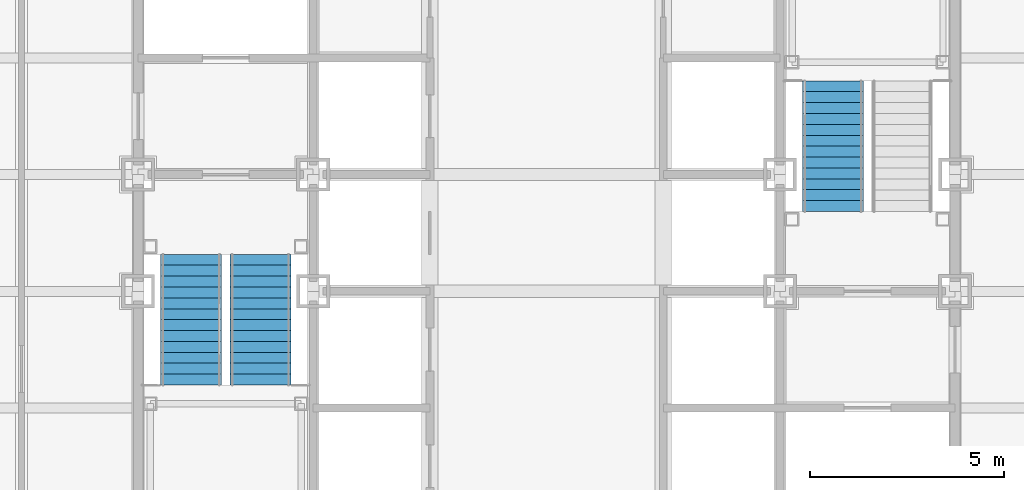
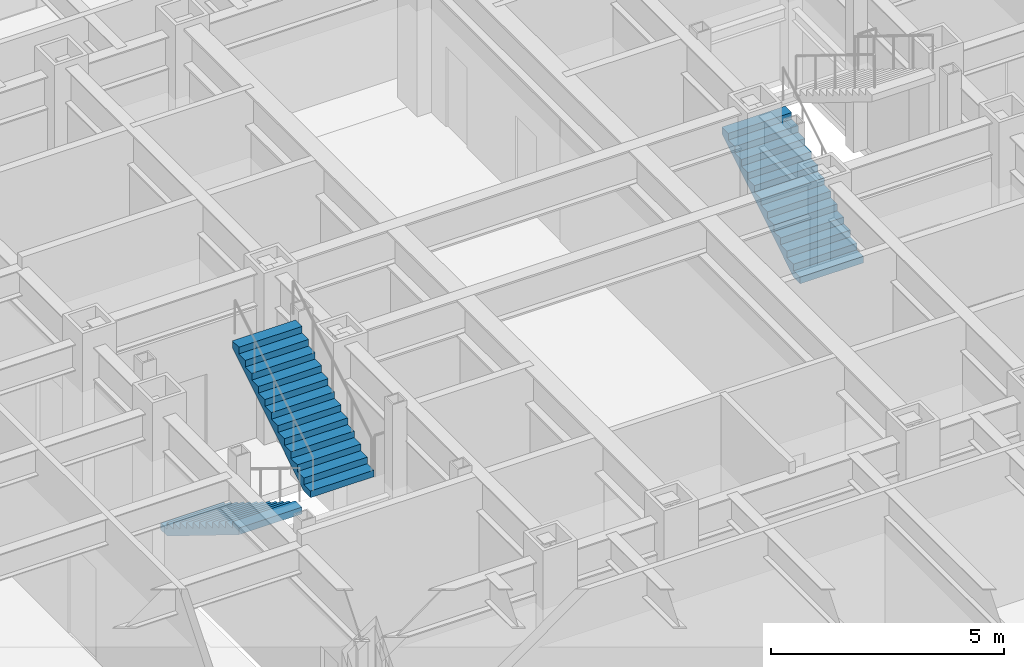
# One storey, part 12 of 16: 3 stair flights, 2 elements without a shape of their own.
"""IFC4 building model written with IfcOpenShell, lengths in metres."""

from ifc_helpers import new_model, si_unit, direction, frame, origin, place, context, subcontext, project, spatial, faceted_brep, material, type_object, element, aggregate, save


model = new_model("IFC4")

# Units and contexts
model_context = context("Model", 3, precision=1e-05, world=origin(), true_north=direction((0.0, 1.0)))
body_context = subcontext(model_context, "Body", "Model", "MODEL_VIEW")
ifc_project = project(units=[si_unit("LENGTHUNIT", "METRE"), si_unit("AREAUNIT", "SQUARE_METRE"), si_unit("VOLUMEUNIT", "CUBIC_METRE"), si_unit("PLANEANGLEUNIT", "RADIAN"), si_unit("MASSUNIT", "GRAM", prefix="KILO")], contexts=[model_context])

# Site, building, storey
site_placement = place(None, origin())
site = spatial("IfcSite", under=ifc_project, at=site_placement, CompositionType="ELEMENT")
building_placement = place(site_placement, origin())
building = spatial("IfcBuilding", under=site, at=building_placement, Name="Chuquiago Exchange Tower", CompositionType="ELEMENT")
storey_placement = place(building_placement, frame((0.0, 0.0, 60.300048828125)))
storey = spatial("IfcBuildingStorey", under=building, at=storey_placement, Name="L12", CompositionType="ELEMENT", Elevation=60.300048828125)

# Stair, stair flights
ifc_material_1 = material(Name="Concrete C30/37, precast", Category="concrete")
stair_type_1 = type_object("IfcStairType", Name="ST1 half-turn stair 4500", PredefinedType="HALF_TURN_STAIR", material=ifc_material_1)
stair_1_placement = place(storey_placement, origin())
stair_1 = element("IfcStair", 1, at=stair_1_placement, inside=storey, type_object=stair_type_1, Name="Stair ST1 L12", PredefinedType="HALF_TURN_STAIR")
ifc_material_2 = material(Name="Concrete C30/37, precast", Category="concrete")
stair_flight_type = type_object("IfcStairFlightType", Name="ST-F flight 1570 for 4500 storey", PredefinedType="STRAIGHT", material=ifc_material_2)
stair_flight_1_placement = place(storey_placement, frame((13.360107421875, 21.949951171875, 0.0), z_axis=(0.0, 0.0, 1.0), x_axis=(0.0, -1.0, 0.0)))
stair_flight_1 = element("IfcStairFlight", 2, at=stair_flight_1_placement, type_object=stair_flight_type, Name="ST1 flight 1", NumberOfRisers=13, NumberOfTreads=12, PredefinedType="STRAIGHT", RiserHeight=0.173076923, TreadLength=0.28, context=body_context, shape_type="Brep", body=[
    faceted_brep([(0.0, 0.78515625, 0.0), (0.0, 0.78515625, 0.173095703125), (0.280029296875, 0.78515625, 0.173095703125), (0.280029296875, 0.78515625, 0.34619140625), (0.56005859375, 0.78515625, 0.34619140625), (0.56005859375, 0.78515625, 0.519287109375), (0.840087890625, 0.78515625, 0.519287109375), (0.840087890625, 0.78515625, 0.6923828125), (1.1201171875, 0.78515625, 0.6923828125), (1.1201171875, 0.78515625, 0.865478515625), (1.39990234375, 0.78515625, 0.865478515625), (1.39990234375, 0.78515625, 1.03857421875), (1.679931640625, 0.78515625, 1.03857421875), (1.679931640625, 0.78515625, 1.21142578125), (1.9599609375, 0.78515625, 1.21142578125), (1.9599609375, 0.78515625, 1.384521484375), (2.239990234375, 0.78515625, 1.384521484375), (2.239990234375, 0.78515625, 1.5576171875), (2.52001953125, 0.78515625, 1.5576171875), (2.52001953125, 0.78515625, 1.730712890625), (2.800048828125, 0.78515625, 1.730712890625), (2.800048828125, 0.78515625, 1.90380859375), (3.080078125, 0.78515625, 1.90380859375), (3.080078125, 0.78515625, 2.076904296875), (3.360107421875, 0.78515625, 2.076904296875), (3.360107421875, 0.78515625, 1.900634765625), (0.28515625, 0.78515625, 0.0), (0.28515625, -0.78515625, 0.0), (3.360107421875, -0.78515625, 1.900634765625), (3.360107421875, -0.78515625, 2.076904296875), (3.080078125, -0.78515625, 2.076904296875), (3.080078125, -0.78515625, 1.90380859375), (2.800048828125, -0.78515625, 1.90380859375), (2.800048828125, -0.78515625, 1.730712890625), (2.52001953125, -0.78515625, 1.730712890625), (2.52001953125, -0.78515625, 1.5576171875), (2.239990234375, -0.78515625, 1.5576171875), (2.239990234375, -0.78515625, 1.384521484375), (1.9599609375, -0.78515625, 1.384521484375), (1.9599609375, -0.78515625, 1.21142578125), (1.679931640625, -0.78515625, 1.21142578125), (1.679931640625, -0.78515625, 1.03857421875), (1.39990234375, -0.78515625, 1.03857421875), (1.39990234375, -0.78515625, 0.865478515625), (1.1201171875, -0.78515625, 0.865478515625), (1.1201171875, -0.78515625, 0.6923828125), (0.840087890625, -0.78515625, 0.6923828125), (0.840087890625, -0.78515625, 0.519287109375), (0.56005859375, -0.78515625, 0.519287109375), (0.56005859375, -0.78515625, 0.34619140625), (0.280029296875, -0.78515625, 0.34619140625), (0.280029296875, -0.78515625, 0.173095703125), (0.0, -0.78515625, 0.173095703125), (0.0, -0.78515625, 0.0), (0.0, 0.392578125, 0.0), (0.0, 0.392578125, 0.173095703125), (0.0, 0.0, 0.0), (0.0, 0.0, 0.173095703125), (0.0, -0.392578125, 0.0), (0.0, -0.392578125, 0.173095703125), (0.280029296875, 0.392578125, 0.173095703125), (0.280029296875, 0.0, 0.173095703125), (0.280029296875, -0.392578125, 0.173095703125), (0.280029296875, 0.392578125, 0.34619140625), (0.280029296875, 0.0, 0.34619140625), (0.280029296875, -0.392578125, 0.34619140625), (0.56005859375, 0.392578125, 0.34619140625), (0.56005859375, 0.0, 0.34619140625), (0.56005859375, -0.392578125, 0.34619140625), (0.56005859375, 0.392578125, 0.519287109375), (0.56005859375, 0.0, 0.519287109375), (0.56005859375, -0.392578125, 0.519287109375), (0.840087890625, 0.392578125, 0.519287109375), (0.840087890625, 0.0, 0.519287109375), (0.840087890625, -0.392578125, 0.519287109375), (0.840087890625, 0.392578125, 0.6923828125), (0.840087890625, 0.0, 0.6923828125), (0.840087890625, -0.392578125, 0.6923828125), (1.1201171875, 0.392578125, 0.6923828125), (1.1201171875, 0.0, 0.6923828125), (1.1201171875, -0.392578125, 0.6923828125), (1.1201171875, 0.392578125, 0.865478515625), (1.1201171875, 0.0, 0.865478515625), (1.1201171875, -0.392578125, 0.865478515625), (1.39990234375, 0.392578125, 0.865478515625), (1.39990234375, 0.0, 0.865478515625), (1.39990234375, -0.392578125, 0.865478515625), (1.39990234375, 0.392578125, 1.03857421875), (1.39990234375, 0.0, 1.03857421875), (1.39990234375, -0.392578125, 1.03857421875), (1.679931640625, 0.392578125, 1.03857421875), (1.679931640625, 0.0, 1.03857421875), (1.679931640625, -0.392578125, 1.03857421875), (1.679931640625, 0.392578125, 1.21142578125), (1.679931640625, 0.0, 1.21142578125), (1.679931640625, -0.392578125, 1.21142578125), (1.9599609375, 0.392578125, 1.21142578125), (1.9599609375, 0.0, 1.21142578125), (1.9599609375, -0.392578125, 1.21142578125), (1.9599609375, 0.392578125, 1.384521484375), (1.9599609375, 0.0, 1.384521484375), (1.9599609375, -0.392578125, 1.384521484375), (2.239990234375, 0.392578125, 1.384521484375), (2.239990234375, 0.0, 1.384521484375), (2.239990234375, -0.392578125, 1.384521484375), (2.239990234375, 0.392578125, 1.5576171875), (2.239990234375, 0.0, 1.5576171875), (2.239990234375, -0.392578125, 1.5576171875), (2.52001953125, 0.392578125, 1.5576171875), (2.52001953125, 0.0, 1.5576171875), (2.52001953125, -0.392578125, 1.5576171875), (2.52001953125, 0.392578125, 1.730712890625), (2.52001953125, 0.0, 1.730712890625), (2.52001953125, -0.392578125, 1.730712890625), (2.800048828125, 0.392578125, 1.730712890625), (2.800048828125, 0.0, 1.730712890625), (2.800048828125, -0.392578125, 1.730712890625), (2.800048828125, 0.392578125, 1.90380859375), (2.800048828125, 0.0, 1.90380859375), (2.800048828125, -0.392578125, 1.90380859375), (3.080078125, 0.392578125, 1.90380859375), (3.080078125, 0.0, 1.90380859375), (3.080078125, -0.392578125, 1.90380859375), (3.080078125, 0.392578125, 2.076904296875), (3.080078125, 0.0, 2.076904296875), (3.080078125, -0.392578125, 2.076904296875), (3.360107421875, 0.392578125, 2.076904296875), (3.360107421875, 0.0, 2.076904296875), (3.360107421875, -0.392578125, 2.076904296875), (3.360107421875, 0.392578125, 1.900634765625), (3.360107421875, 0.0, 1.900634765625), (3.360107421875, -0.392578125, 1.900634765625), (0.28515625, 0.392578125, 0.0), (0.28515625, 0.0, 0.0), (0.28515625, -0.392578125, 0.0)], [[[0, 1, 2, 3, 4, 5, 6, 7, 8, 9, 10, 11, 12, 13, 14, 15, 16, 17, 18, 19, 20, 21, 22, 23, 24, 25, 26]], [[27, 28, 29, 30, 31, 32, 33, 34, 35, 36, 37, 38, 39, 40, 41, 42, 43, 44, 45, 46, 47, 48, 49, 50, 51, 52, 53]], [[1, 0, 54, 55]], [[55, 54, 56, 57]], [[57, 56, 58, 59]], [[59, 58, 53, 52]], [[2, 1, 55, 60]], [[60, 55, 57, 61]], [[61, 57, 59, 62]], [[62, 59, 52, 51]], [[3, 2, 60, 63]], [[63, 60, 61, 64]], [[64, 61, 62, 65]], [[65, 62, 51, 50]], [[4, 3, 63, 66]], [[66, 63, 64, 67]], [[67, 64, 65, 68]], [[68, 65, 50, 49]], [[5, 4, 66, 69]], [[69, 66, 67, 70]], [[70, 67, 68, 71]], [[71, 68, 49, 48]], [[6, 5, 69, 72]], [[72, 69, 70, 73]], [[73, 70, 71, 74]], [[74, 71, 48, 47]], [[7, 6, 72, 75]], [[75, 72, 73, 76]], [[76, 73, 74, 77]], [[77, 74, 47, 46]], [[8, 7, 75, 78]], [[78, 75, 76, 79]], [[79, 76, 77, 80]], [[80, 77, 46, 45]], [[9, 8, 78, 81]], [[81, 78, 79, 82]], [[82, 79, 80, 83]], [[83, 80, 45, 44]], [[10, 9, 81, 84]], [[84, 81, 82, 85]], [[85, 82, 83, 86]], [[86, 83, 44, 43]], [[11, 10, 84, 87]], [[87, 84, 85, 88]], [[88, 85, 86, 89]], [[89, 86, 43, 42]], [[12, 11, 87, 90]], [[90, 87, 88, 91]], [[91, 88, 89, 92]], [[92, 89, 42, 41]], [[13, 12, 90, 93]], [[93, 90, 91, 94]], [[94, 91, 92, 95]], [[95, 92, 41, 40]], [[14, 13, 93, 96]], [[96, 93, 94, 97]], [[97, 94, 95, 98]], [[98, 95, 40, 39]], [[15, 14, 96, 99]], [[99, 96, 97, 100]], [[100, 97, 98, 101]], [[101, 98, 39, 38]], [[16, 15, 99, 102]], [[102, 99, 100, 103]], [[103, 100, 101, 104]], [[104, 101, 38, 37]], [[17, 16, 102, 105]], [[105, 102, 103, 106]], [[106, 103, 104, 107]], [[107, 104, 37, 36]], [[18, 17, 105, 108]], [[108, 105, 106, 109]], [[109, 106, 107, 110]], [[110, 107, 36, 35]], [[19, 18, 108, 111]], [[111, 108, 109, 112]], [[112, 109, 110, 113]], [[113, 110, 35, 34]], [[20, 19, 111, 114]], [[114, 111, 112, 115]], [[115, 112, 113, 116]], [[116, 113, 34, 33]], [[21, 20, 114, 117]], [[117, 114, 115, 118]], [[118, 115, 116, 119]], [[119, 116, 33, 32]], [[22, 21, 117, 120]], [[120, 117, 118, 121]], [[121, 118, 119, 122]], [[122, 119, 32, 31]], [[23, 22, 120, 123]], [[123, 120, 121, 124]], [[124, 121, 122, 125]], [[125, 122, 31, 30]], [[24, 23, 123, 126]], [[126, 123, 124, 127]], [[127, 124, 125, 128]], [[128, 125, 30, 29]], [[25, 24, 126, 129]], [[129, 126, 127, 130]], [[130, 127, 128, 131]], [[131, 128, 29, 28]], [[26, 25, 129, 132]], [[132, 129, 130, 133]], [[133, 130, 131, 134]], [[134, 131, 28, 27]], [[0, 26, 132, 54]], [[54, 132, 133, 56]], [[56, 133, 134, 58]], [[58, 134, 27, 53]]]),
])
stair_flight_2_placement = place(storey_placement, frame((15.139892578125, 18.590087890625, 2.25), z_axis=(0.0, 0.0, 1.0), x_axis=(0.0, 1.0, 0.0)))
stair_flight_2 = element("IfcStairFlight", 3, at=stair_flight_2_placement, type_object=stair_flight_type, Name="ST1 flight 2", NumberOfRisers=13, NumberOfTreads=12, PredefinedType="STRAIGHT", RiserHeight=0.173076923, TreadLength=0.28, context=body_context, shape_type="Brep", body=[
    faceted_brep([(0.0, 0.78515625, 0.0), (0.0, 0.78515625, 0.173095703125), (0.280029296875, 0.78515625, 0.173095703125), (0.280029296875, 0.78515625, 0.34619140625), (0.56005859375, 0.78515625, 0.34619140625), (0.56005859375, 0.78515625, 0.519287109375), (0.840087890625, 0.78515625, 0.519287109375), (0.840087890625, 0.78515625, 0.6923828125), (1.1201171875, 0.78515625, 0.6923828125), (1.1201171875, 0.78515625, 0.865478515625), (1.39990234375, 0.78515625, 0.865478515625), (1.39990234375, 0.78515625, 1.03857421875), (1.679931640625, 0.78515625, 1.03857421875), (1.679931640625, 0.78515625, 1.21142578125), (1.9599609375, 0.78515625, 1.21142578125), (1.9599609375, 0.78515625, 1.384521484375), (2.239990234375, 0.78515625, 1.384521484375), (2.239990234375, 0.78515625, 1.5576171875), (2.52001953125, 0.78515625, 1.5576171875), (2.52001953125, 0.78515625, 1.730712890625), (2.800048828125, 0.78515625, 1.730712890625), (2.800048828125, 0.78515625, 1.90380859375), (3.080078125, 0.78515625, 1.90380859375), (3.080078125, 0.78515625, 2.076904296875), (3.360107421875, 0.78515625, 2.076904296875), (3.360107421875, 0.78515625, 1.900634765625), (0.28515625, 0.78515625, 0.0), (0.28515625, -0.78515625, 0.0), (3.360107421875, -0.78515625, 1.900634765625), (3.360107421875, -0.78515625, 2.076904296875), (3.080078125, -0.78515625, 2.076904296875), (3.080078125, -0.78515625, 1.90380859375), (2.800048828125, -0.78515625, 1.90380859375), (2.800048828125, -0.78515625, 1.730712890625), (2.52001953125, -0.78515625, 1.730712890625), (2.52001953125, -0.78515625, 1.5576171875), (2.239990234375, -0.78515625, 1.5576171875), (2.239990234375, -0.78515625, 1.384521484375), (1.9599609375, -0.78515625, 1.384521484375), (1.9599609375, -0.78515625, 1.21142578125), (1.679931640625, -0.78515625, 1.21142578125), (1.679931640625, -0.78515625, 1.03857421875), (1.39990234375, -0.78515625, 1.03857421875), (1.39990234375, -0.78515625, 0.865478515625), (1.1201171875, -0.78515625, 0.865478515625), (1.1201171875, -0.78515625, 0.6923828125), (0.840087890625, -0.78515625, 0.6923828125), (0.840087890625, -0.78515625, 0.519287109375), (0.56005859375, -0.78515625, 0.519287109375), (0.56005859375, -0.78515625, 0.34619140625), (0.280029296875, -0.78515625, 0.34619140625), (0.280029296875, -0.78515625, 0.173095703125), (0.0, -0.78515625, 0.173095703125), (0.0, -0.78515625, 0.0), (0.0, 0.392578125, 0.0), (0.0, 0.392578125, 0.173095703125), (0.0, 0.0, 0.0), (0.0, 0.0, 0.173095703125), (0.0, -0.392578125, 0.0), (0.0, -0.392578125, 0.173095703125), (0.280029296875, 0.392578125, 0.173095703125), (0.280029296875, 0.0, 0.173095703125), (0.280029296875, -0.392578125, 0.173095703125), (0.280029296875, 0.392578125, 0.34619140625), (0.280029296875, 0.0, 0.34619140625), (0.280029296875, -0.392578125, 0.34619140625), (0.56005859375, 0.392578125, 0.34619140625), (0.56005859375, 0.0, 0.34619140625), (0.56005859375, -0.392578125, 0.34619140625), (0.56005859375, 0.392578125, 0.519287109375), (0.56005859375, 0.0, 0.519287109375), (0.56005859375, -0.392578125, 0.519287109375), (0.840087890625, 0.392578125, 0.519287109375), (0.840087890625, 0.0, 0.519287109375), (0.840087890625, -0.392578125, 0.519287109375), (0.840087890625, 0.392578125, 0.6923828125), (0.840087890625, 0.0, 0.6923828125), (0.840087890625, -0.392578125, 0.6923828125), (1.1201171875, 0.392578125, 0.6923828125), (1.1201171875, 0.0, 0.6923828125), (1.1201171875, -0.392578125, 0.6923828125), (1.1201171875, 0.392578125, 0.865478515625), (1.1201171875, 0.0, 0.865478515625), (1.1201171875, -0.392578125, 0.865478515625), (1.39990234375, 0.392578125, 0.865478515625), (1.39990234375, 0.0, 0.865478515625), (1.39990234375, -0.392578125, 0.865478515625), (1.39990234375, 0.392578125, 1.03857421875), (1.39990234375, 0.0, 1.03857421875), (1.39990234375, -0.392578125, 1.03857421875), (1.679931640625, 0.392578125, 1.03857421875), (1.679931640625, 0.0, 1.03857421875), (1.679931640625, -0.392578125, 1.03857421875), (1.679931640625, 0.392578125, 1.21142578125), (1.679931640625, 0.0, 1.21142578125), (1.679931640625, -0.392578125, 1.21142578125), (1.9599609375, 0.392578125, 1.21142578125), (1.9599609375, 0.0, 1.21142578125), (1.9599609375, -0.392578125, 1.21142578125), (1.9599609375, 0.392578125, 1.384521484375), (1.9599609375, 0.0, 1.384521484375), (1.9599609375, -0.392578125, 1.384521484375), (2.239990234375, 0.392578125, 1.384521484375), (2.239990234375, 0.0, 1.384521484375), (2.239990234375, -0.392578125, 1.384521484375), (2.239990234375, 0.392578125, 1.5576171875), (2.239990234375, 0.0, 1.5576171875), (2.239990234375, -0.392578125, 1.5576171875), (2.52001953125, 0.392578125, 1.5576171875), (2.52001953125, 0.0, 1.5576171875), (2.52001953125, -0.392578125, 1.5576171875), (2.52001953125, 0.392578125, 1.730712890625), (2.52001953125, 0.0, 1.730712890625), (2.52001953125, -0.392578125, 1.730712890625), (2.800048828125, 0.392578125, 1.730712890625), (2.800048828125, 0.0, 1.730712890625), (2.800048828125, -0.392578125, 1.730712890625), (2.800048828125, 0.392578125, 1.90380859375), (2.800048828125, 0.0, 1.90380859375), (2.800048828125, -0.392578125, 1.90380859375), (3.080078125, 0.392578125, 1.90380859375), (3.080078125, 0.0, 1.90380859375), (3.080078125, -0.392578125, 1.90380859375), (3.080078125, 0.392578125, 2.076904296875), (3.080078125, 0.0, 2.076904296875), (3.080078125, -0.392578125, 2.076904296875), (3.360107421875, 0.392578125, 2.076904296875), (3.360107421875, 0.0, 2.076904296875), (3.360107421875, -0.392578125, 2.076904296875), (3.360107421875, 0.392578125, 1.900634765625), (3.360107421875, 0.0, 1.900634765625), (3.360107421875, -0.392578125, 1.900634765625), (0.28515625, 0.392578125, 0.0), (0.28515625, 0.0, 0.0), (0.28515625, -0.392578125, 0.0)], [[[0, 1, 2, 3, 4, 5, 6, 7, 8, 9, 10, 11, 12, 13, 14, 15, 16, 17, 18, 19, 20, 21, 22, 23, 24, 25, 26]], [[27, 28, 29, 30, 31, 32, 33, 34, 35, 36, 37, 38, 39, 40, 41, 42, 43, 44, 45, 46, 47, 48, 49, 50, 51, 52, 53]], [[1, 0, 54, 55]], [[55, 54, 56, 57]], [[57, 56, 58, 59]], [[59, 58, 53, 52]], [[2, 1, 55, 60]], [[60, 55, 57, 61]], [[61, 57, 59, 62]], [[62, 59, 52, 51]], [[3, 2, 60, 63]], [[63, 60, 61, 64]], [[64, 61, 62, 65]], [[65, 62, 51, 50]], [[4, 3, 63, 66]], [[66, 63, 64, 67]], [[67, 64, 65, 68]], [[68, 65, 50, 49]], [[5, 4, 66, 69]], [[69, 66, 67, 70]], [[70, 67, 68, 71]], [[71, 68, 49, 48]], [[6, 5, 69, 72]], [[72, 69, 70, 73]], [[73, 70, 71, 74]], [[74, 71, 48, 47]], [[7, 6, 72, 75]], [[75, 72, 73, 76]], [[76, 73, 74, 77]], [[77, 74, 47, 46]], [[8, 7, 75, 78]], [[78, 75, 76, 79]], [[79, 76, 77, 80]], [[80, 77, 46, 45]], [[9, 8, 78, 81]], [[81, 78, 79, 82]], [[82, 79, 80, 83]], [[83, 80, 45, 44]], [[10, 9, 81, 84]], [[84, 81, 82, 85]], [[85, 82, 83, 86]], [[86, 83, 44, 43]], [[11, 10, 84, 87]], [[87, 84, 85, 88]], [[88, 85, 86, 89]], [[89, 86, 43, 42]], [[12, 11, 87, 90]], [[90, 87, 88, 91]], [[91, 88, 89, 92]], [[92, 89, 42, 41]], [[13, 12, 90, 93]], [[93, 90, 91, 94]], [[94, 91, 92, 95]], [[95, 92, 41, 40]], [[14, 13, 93, 96]], [[96, 93, 94, 97]], [[97, 94, 95, 98]], [[98, 95, 40, 39]], [[15, 14, 96, 99]], [[99, 96, 97, 100]], [[100, 97, 98, 101]], [[101, 98, 39, 38]], [[16, 15, 99, 102]], [[102, 99, 100, 103]], [[103, 100, 101, 104]], [[104, 101, 38, 37]], [[17, 16, 102, 105]], [[105, 102, 103, 106]], [[106, 103, 104, 107]], [[107, 104, 37, 36]], [[18, 17, 105, 108]], [[108, 105, 106, 109]], [[109, 106, 107, 110]], [[110, 107, 36, 35]], [[19, 18, 108, 111]], [[111, 108, 109, 112]], [[112, 109, 110, 113]], [[113, 110, 35, 34]], [[20, 19, 111, 114]], [[114, 111, 112, 115]], [[115, 112, 113, 116]], [[116, 113, 34, 33]], [[21, 20, 114, 117]], [[117, 114, 115, 118]], [[118, 115, 116, 119]], [[119, 116, 33, 32]], [[22, 21, 117, 120]], [[120, 117, 118, 121]], [[121, 118, 119, 122]], [[122, 119, 32, 31]], [[23, 22, 120, 123]], [[123, 120, 121, 124]], [[124, 121, 122, 125]], [[125, 122, 31, 30]], [[24, 23, 123, 126]], [[126, 123, 124, 127]], [[127, 124, 125, 128]], [[128, 125, 30, 29]], [[25, 24, 126, 129]], [[129, 126, 127, 130]], [[130, 127, 128, 131]], [[131, 128, 29, 28]], [[26, 25, 129, 132]], [[132, 129, 130, 133]], [[133, 130, 131, 134]], [[134, 131, 28, 27]], [[0, 26, 132, 54]], [[54, 132, 133, 56]], [[56, 133, 134, 58]], [[58, 134, 27, 53]]]),
])
aggregate(stair_1, [stair_flight_1, stair_flight_2])

# Stair, stair flight
ifc_material_3 = material(Name="Concrete C30/37, precast", Category="concrete")
stair_type_2 = type_object("IfcStairType", Name="ST2 half-turn stair 4500", PredefinedType="HALF_TURN_STAIR", material=ifc_material_3)
stair_2_placement = place(storey_placement, origin())
stair_2 = element("IfcStair", 4, at=stair_2_placement, inside=storey, type_object=stair_type_2, Name="Stair ST2 L12", PredefinedType="HALF_TURN_STAIR")
stair_flight_3_placement = place(storey_placement, frame((29.860107421875, 23.050048828125, 0.0), z_axis=(0.0, 0.0, 1.0), x_axis=(0.0, 1.0, 0.0)))
stair_flight_3 = element("IfcStairFlight", 5, at=stair_flight_3_placement, type_object=stair_flight_type, Name="ST2 flight 1", NumberOfRisers=13, NumberOfTreads=12, PredefinedType="STRAIGHT", RiserHeight=0.173076923, TreadLength=0.28, context=body_context, shape_type="Brep", body=[
    faceted_brep([(0.0, 0.78515625, 0.0), (0.0, 0.78515625, 0.173095703125), (0.280029296875, 0.78515625, 0.173095703125), (0.280029296875, 0.78515625, 0.34619140625), (0.56005859375, 0.78515625, 0.34619140625), (0.56005859375, 0.78515625, 0.519287109375), (0.840087890625, 0.78515625, 0.519287109375), (0.840087890625, 0.78515625, 0.6923828125), (1.1201171875, 0.78515625, 0.6923828125), (1.1201171875, 0.78515625, 0.865478515625), (1.39990234375, 0.78515625, 0.865478515625), (1.39990234375, 0.78515625, 1.03857421875), (1.679931640625, 0.78515625, 1.03857421875), (1.679931640625, 0.78515625, 1.21142578125), (1.9599609375, 0.78515625, 1.21142578125), (1.9599609375, 0.78515625, 1.384521484375), (2.239990234375, 0.78515625, 1.384521484375), (2.239990234375, 0.78515625, 1.5576171875), (2.52001953125, 0.78515625, 1.5576171875), (2.52001953125, 0.78515625, 1.730712890625), (2.800048828125, 0.78515625, 1.730712890625), (2.800048828125, 0.78515625, 1.90380859375), (3.080078125, 0.78515625, 1.90380859375), (3.080078125, 0.78515625, 2.076904296875), (3.360107421875, 0.78515625, 2.076904296875), (3.360107421875, 0.78515625, 1.900634765625), (0.28515625, 0.78515625, 0.0), (0.28515625, -0.78515625, 0.0), (3.360107421875, -0.78515625, 1.900634765625), (3.360107421875, -0.78515625, 2.076904296875), (3.080078125, -0.78515625, 2.076904296875), (3.080078125, -0.78515625, 1.90380859375), (2.800048828125, -0.78515625, 1.90380859375), (2.800048828125, -0.78515625, 1.730712890625), (2.52001953125, -0.78515625, 1.730712890625), (2.52001953125, -0.78515625, 1.5576171875), (2.239990234375, -0.78515625, 1.5576171875), (2.239990234375, -0.78515625, 1.384521484375), (1.9599609375, -0.78515625, 1.384521484375), (1.9599609375, -0.78515625, 1.21142578125), (1.679931640625, -0.78515625, 1.21142578125), (1.679931640625, -0.78515625, 1.03857421875), (1.39990234375, -0.78515625, 1.03857421875), (1.39990234375, -0.78515625, 0.865478515625), (1.1201171875, -0.78515625, 0.865478515625), (1.1201171875, -0.78515625, 0.6923828125), (0.840087890625, -0.78515625, 0.6923828125), (0.840087890625, -0.78515625, 0.519287109375), (0.56005859375, -0.78515625, 0.519287109375), (0.56005859375, -0.78515625, 0.34619140625), (0.280029296875, -0.78515625, 0.34619140625), (0.280029296875, -0.78515625, 0.173095703125), (0.0, -0.78515625, 0.173095703125), (0.0, -0.78515625, 0.0), (0.0, 0.392578125, 0.0), (0.0, 0.392578125, 0.173095703125), (0.0, 0.0, 0.0), (0.0, 0.0, 0.173095703125), (0.0, -0.392578125, 0.0), (0.0, -0.392578125, 0.173095703125), (0.280029296875, 0.392578125, 0.173095703125), (0.280029296875, 0.0, 0.173095703125), (0.280029296875, -0.392578125, 0.173095703125), (0.280029296875, 0.392578125, 0.34619140625), (0.280029296875, 0.0, 0.34619140625), (0.280029296875, -0.392578125, 0.34619140625), (0.56005859375, 0.392578125, 0.34619140625), (0.56005859375, 0.0, 0.34619140625), (0.56005859375, -0.392578125, 0.34619140625), (0.56005859375, 0.392578125, 0.519287109375), (0.56005859375, 0.0, 0.519287109375), (0.56005859375, -0.392578125, 0.519287109375), (0.840087890625, 0.392578125, 0.519287109375), (0.840087890625, 0.0, 0.519287109375), (0.840087890625, -0.392578125, 0.519287109375), (0.840087890625, 0.392578125, 0.6923828125), (0.840087890625, 0.0, 0.6923828125), (0.840087890625, -0.392578125, 0.6923828125), (1.1201171875, 0.392578125, 0.6923828125), (1.1201171875, 0.0, 0.6923828125), (1.1201171875, -0.392578125, 0.6923828125), (1.1201171875, 0.392578125, 0.865478515625), (1.1201171875, 0.0, 0.865478515625), (1.1201171875, -0.392578125, 0.865478515625), (1.39990234375, 0.392578125, 0.865478515625), (1.39990234375, 0.0, 0.865478515625), (1.39990234375, -0.392578125, 0.865478515625), (1.39990234375, 0.392578125, 1.03857421875), (1.39990234375, 0.0, 1.03857421875), (1.39990234375, -0.392578125, 1.03857421875), (1.679931640625, 0.392578125, 1.03857421875), (1.679931640625, 0.0, 1.03857421875), (1.679931640625, -0.392578125, 1.03857421875), (1.679931640625, 0.392578125, 1.21142578125), (1.679931640625, 0.0, 1.21142578125), (1.679931640625, -0.392578125, 1.21142578125), (1.9599609375, 0.392578125, 1.21142578125), (1.9599609375, 0.0, 1.21142578125), (1.9599609375, -0.392578125, 1.21142578125), (1.9599609375, 0.392578125, 1.384521484375), (1.9599609375, 0.0, 1.384521484375), (1.9599609375, -0.392578125, 1.384521484375), (2.239990234375, 0.392578125, 1.384521484375), (2.239990234375, 0.0, 1.384521484375), (2.239990234375, -0.392578125, 1.384521484375), (2.239990234375, 0.392578125, 1.5576171875), (2.239990234375, 0.0, 1.5576171875), (2.239990234375, -0.392578125, 1.5576171875), (2.52001953125, 0.392578125, 1.5576171875), (2.52001953125, 0.0, 1.5576171875), (2.52001953125, -0.392578125, 1.5576171875), (2.52001953125, 0.392578125, 1.730712890625), (2.52001953125, 0.0, 1.730712890625), (2.52001953125, -0.392578125, 1.730712890625), (2.800048828125, 0.392578125, 1.730712890625), (2.800048828125, 0.0, 1.730712890625), (2.800048828125, -0.392578125, 1.730712890625), (2.800048828125, 0.392578125, 1.90380859375), (2.800048828125, 0.0, 1.90380859375), (2.800048828125, -0.392578125, 1.90380859375), (3.080078125, 0.392578125, 1.90380859375), (3.080078125, 0.0, 1.90380859375), (3.080078125, -0.392578125, 1.90380859375), (3.080078125, 0.392578125, 2.076904296875), (3.080078125, 0.0, 2.076904296875), (3.080078125, -0.392578125, 2.076904296875), (3.360107421875, 0.392578125, 2.076904296875), (3.360107421875, 0.0, 2.076904296875), (3.360107421875, -0.392578125, 2.076904296875), (3.360107421875, 0.392578125, 1.900634765625), (3.360107421875, 0.0, 1.900634765625), (3.360107421875, -0.392578125, 1.900634765625), (0.28515625, 0.392578125, 0.0), (0.28515625, 0.0, 0.0), (0.28515625, -0.392578125, 0.0)], [[[0, 1, 2, 3, 4, 5, 6, 7, 8, 9, 10, 11, 12, 13, 14, 15, 16, 17, 18, 19, 20, 21, 22, 23, 24, 25, 26]], [[27, 28, 29, 30, 31, 32, 33, 34, 35, 36, 37, 38, 39, 40, 41, 42, 43, 44, 45, 46, 47, 48, 49, 50, 51, 52, 53]], [[1, 0, 54, 55]], [[55, 54, 56, 57]], [[57, 56, 58, 59]], [[59, 58, 53, 52]], [[2, 1, 55, 60]], [[60, 55, 57, 61]], [[61, 57, 59, 62]], [[62, 59, 52, 51]], [[3, 2, 60, 63]], [[63, 60, 61, 64]], [[64, 61, 62, 65]], [[65, 62, 51, 50]], [[4, 3, 63, 66]], [[66, 63, 64, 67]], [[67, 64, 65, 68]], [[68, 65, 50, 49]], [[5, 4, 66, 69]], [[69, 66, 67, 70]], [[70, 67, 68, 71]], [[71, 68, 49, 48]], [[6, 5, 69, 72]], [[72, 69, 70, 73]], [[73, 70, 71, 74]], [[74, 71, 48, 47]], [[7, 6, 72, 75]], [[75, 72, 73, 76]], [[76, 73, 74, 77]], [[77, 74, 47, 46]], [[8, 7, 75, 78]], [[78, 75, 76, 79]], [[79, 76, 77, 80]], [[80, 77, 46, 45]], [[9, 8, 78, 81]], [[81, 78, 79, 82]], [[82, 79, 80, 83]], [[83, 80, 45, 44]], [[10, 9, 81, 84]], [[84, 81, 82, 85]], [[85, 82, 83, 86]], [[86, 83, 44, 43]], [[11, 10, 84, 87]], [[87, 84, 85, 88]], [[88, 85, 86, 89]], [[89, 86, 43, 42]], [[12, 11, 87, 90]], [[90, 87, 88, 91]], [[91, 88, 89, 92]], [[92, 89, 42, 41]], [[13, 12, 90, 93]], [[93, 90, 91, 94]], [[94, 91, 92, 95]], [[95, 92, 41, 40]], [[14, 13, 93, 96]], [[96, 93, 94, 97]], [[97, 94, 95, 98]], [[98, 95, 40, 39]], [[15, 14, 96, 99]], [[99, 96, 97, 100]], [[100, 97, 98, 101]], [[101, 98, 39, 38]], [[16, 15, 99, 102]], [[102, 99, 100, 103]], [[103, 100, 101, 104]], [[104, 101, 38, 37]], [[17, 16, 102, 105]], [[105, 102, 103, 106]], [[106, 103, 104, 107]], [[107, 104, 37, 36]], [[18, 17, 105, 108]], [[108, 105, 106, 109]], [[109, 106, 107, 110]], [[110, 107, 36, 35]], [[19, 18, 108, 111]], [[111, 108, 109, 112]], [[112, 109, 110, 113]], [[113, 110, 35, 34]], [[20, 19, 111, 114]], [[114, 111, 112, 115]], [[115, 112, 113, 116]], [[116, 113, 34, 33]], [[21, 20, 114, 117]], [[117, 114, 115, 118]], [[118, 115, 116, 119]], [[119, 116, 33, 32]], [[22, 21, 117, 120]], [[120, 117, 118, 121]], [[121, 118, 119, 122]], [[122, 119, 32, 31]], [[23, 22, 120, 123]], [[123, 120, 121, 124]], [[124, 121, 122, 125]], [[125, 122, 31, 30]], [[24, 23, 123, 126]], [[126, 123, 124, 127]], [[127, 124, 125, 128]], [[128, 125, 30, 29]], [[25, 24, 126, 129]], [[129, 126, 127, 130]], [[130, 127, 128, 131]], [[131, 128, 29, 28]], [[26, 25, 129, 132]], [[132, 129, 130, 133]], [[133, 130, 131, 134]], [[134, 131, 28, 27]], [[0, 26, 132, 54]], [[54, 132, 133, 56]], [[56, 133, 134, 58]], [[58, 134, 27, 53]]]),
])
aggregate(stair_2, [stair_flight_3])

save(model, "model.ifc")
